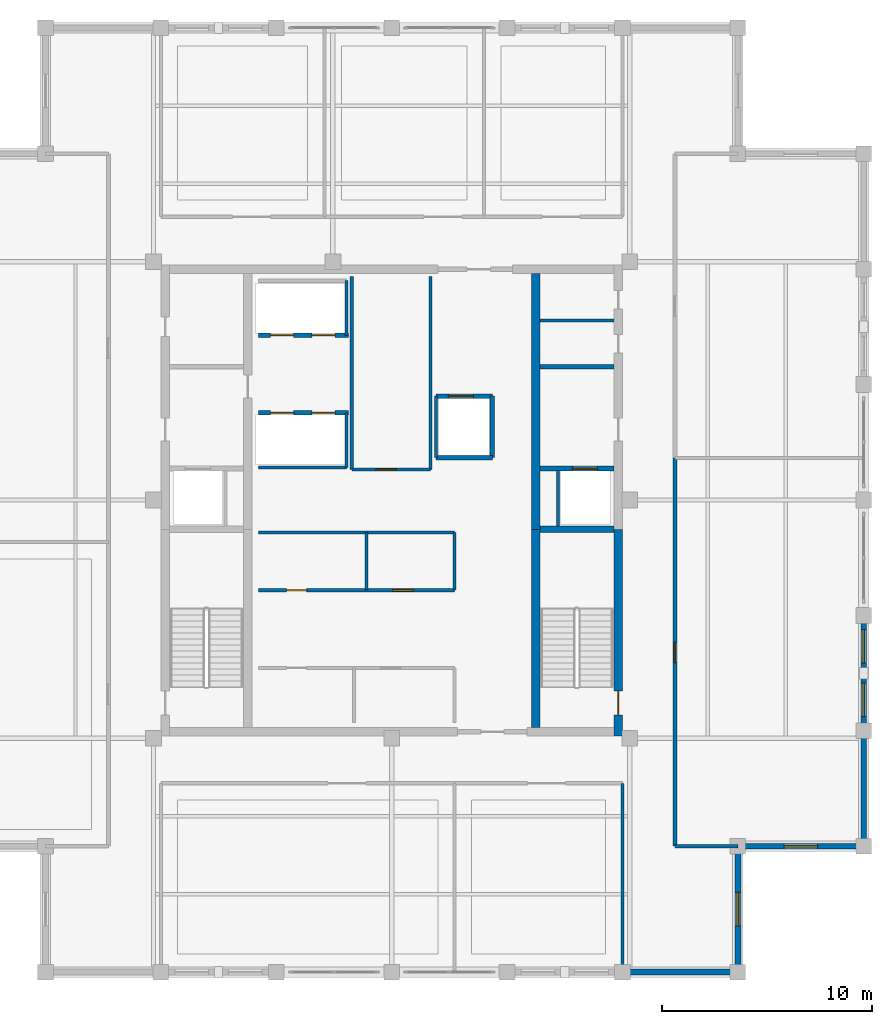
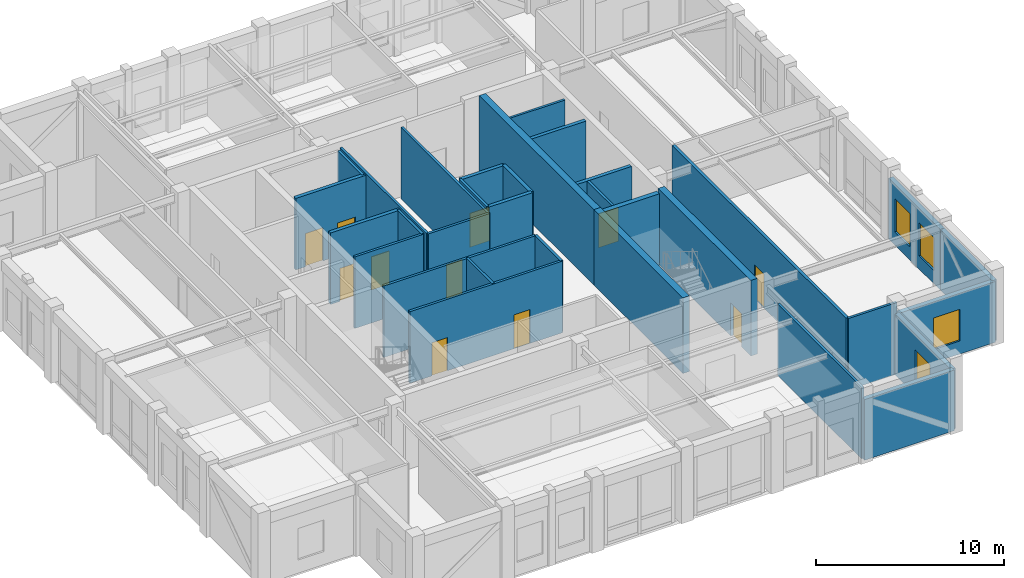
# One storey, part 8 of 13: 32 walls, 11 doors, 4 windows, 15 openings.
"""IFC4 building model written with IfcOpenShell, lengths in metres."""

from ifc_helpers import new_model, si_unit, direction, frame, frame_2d, origin, place, context, subcontext, project, spatial, rectangle, extrude, material, layer, layer_set, type_object, element, fill, save


model = new_model("IFC4")

# Units and contexts
model_context = context("Model", 3, precision=1e-05, world=origin(), true_north=direction((0.0, 1.0)))
body_context = subcontext(model_context, "Body", "Model", "MODEL_VIEW")
ifc_project = project(units=[si_unit("LENGTHUNIT", "METRE"), si_unit("AREAUNIT", "SQUARE_METRE"), si_unit("VOLUMEUNIT", "CUBIC_METRE"), si_unit("PLANEANGLEUNIT", "RADIAN"), si_unit("MASSUNIT", "GRAM", prefix="KILO")], contexts=[model_context])

# Site, building, storey
site_placement = place(None, origin())
site = spatial("IfcSite", under=ifc_project, at=site_placement, CompositionType="ELEMENT")
building_placement = place(site_placement, origin())
building = spatial("IfcBuilding", under=site, at=building_placement, Name="Nhamokura Convention Tower", CompositionType="ELEMENT")
storey_placement = place(building_placement, frame((0.0, 0.0, 308.35009765625)))
storey = spatial("IfcBuildingStorey", under=building, at=storey_placement, Name="L76", CompositionType="ELEMENT", Elevation=308.35009765625)

# Walls
ifc_material_1 = material(Name="Moisture-resistant tile-backer partition", Category="masonry")
ifc_layer_1 = layer(ifc_material_1, 0.139892578125)
ifc_layer_set_1 = layer_set([ifc_layer_1], Name="BathroomWetWall_140")
wall_type_1 = type_object("IfcWallType", Name="BathroomWetWall_140", PredefinedType="STANDARD", material=ifc_layer_set_1)
wall_1_placement = place(storey_placement, frame((39.06005859375, 40.550048828125, 0.0), z_axis=(0.0, 0.0, 1.0), x_axis=(1.0, 0.0, 0.0)))
element("IfcWall", 1, at=wall_1_placement, inside=storey, type_object=wall_type_1, Name="L76 Wall INT-L76-CWNE", PredefinedType="STANDARD", context=body_context, shape_type="SweptSolid", body=[
    extrude(rectangle(XDim=3.530029296875, YDim=0.139892578125, at=frame_2d((1.76513671875, 0.0))), origin(), (0.0, 0.0, 1.0), 4.639892578125),
])
ifc_material_2 = material(Name="Bronze-pigmented precast concrete C45/55", Category="concrete")
ifc_layer_2 = layer(ifc_material_2, 0.280029296875)
ifc_layer_set_2 = layer_set([ifc_layer_2], Name="BronzePrecastSpandrel_280")
wall_type_2 = type_object("IfcWallType", Name="BronzePrecastSpandrel_280", PredefinedType="USERDEFINED", material=ifc_layer_set_2)
for number, where, z_axis, x_axis, name in (
    (2, (48.5, 9.5, 0.0), (0.0, 0.0, 1.0), (-1.0, 0.0, 0.0), "L76 Braced-Bay Precast Wall SOUTH 5"),
    (3, (54.5, 21.0, 0.0), (0.0, 0.0, 1.0), (0.0, -1.0, 0.0), "L76 Braced-Bay Precast Wall EAST 0"),
):
    element("IfcWall", number, at=place(storey_placement, frame(where, z_axis=z_axis, x_axis=x_axis)), inside=storey, type_object=wall_type_2, Name=name, ObjectType="SPANDREL_WALL", PredefinedType="USERDEFINED", context=body_context, shape_type="SweptSolid", body=[
        extrude(rectangle(XDim=5.5, YDim=0.280029296875, at=frame_2d((2.75, 0.0))), origin(), (0.0, 0.0, 1.0), 3.93994140625),
    ])

# Wall, openings, windows
wall_2_placement = place(storey_placement, frame((54.5, 26.5, 0.0), z_axis=(0.0, 0.0, 1.0), x_axis=(0.0, -1.0, 0.0)))
wall_2 = element("IfcWall", 4, at=wall_2_placement, inside=storey, type_object=wall_type_2, Name="L76 Masonry-Frame Wall EAST 1", ObjectType="SPANDREL_WALL", PredefinedType="USERDEFINED", context=body_context, shape_type="SweptSolid", body=[
    extrude(rectangle(XDim=5.5, YDim=0.280029296875, at=frame_2d((2.75, 0.0))), origin(), (0.0, 0.0, 1.0), 3.93994140625),
])
opening_1_placement = place(wall_2_placement, frame((0.675048828125, 0.0, 0.85009765625)))
opening_1 = element("IfcOpeningElement", 5, at=opening_1_placement, cuts=wall_2, Name="Opening W-11", PredefinedType="OPENING", context=body_context, shape_type="SweptSolid", body=[
    extrude(rectangle(XDim=1.60009765625, YDim=2.14990234375, at=frame_2d((0.800048828125, 1.074951171875))), frame((0.0, 0.14990234375, 0.0), z_axis=(0.0, -1.0, 0.0), x_axis=(1.0, 0.0, 0.0)), (0.0, 0.0, 1.0), 0.300048828125),
])
opening_2_placement = place(wall_2_placement, frame((3.22509765625, 0.0, 0.85009765625)))
opening_2 = element("IfcOpeningElement", 6, at=opening_2_placement, cuts=wall_2, Name="Opening W-11", PredefinedType="OPENING", context=body_context, shape_type="SweptSolid", body=[
    extrude(rectangle(XDim=1.60009765625, YDim=2.14990234375, at=frame_2d((0.800048828125, 1.074951171875))), frame((0.0, 0.14990234375, 0.0), z_axis=(0.0, -1.0, 0.0), x_axis=(1.0, 0.0, 0.0)), (0.0, 0.0, 1.0), 0.300048828125),
])
ifc_material_3 = material(Name="Solar-control bronze low-E double glass", Category="glass")
window_type = type_object("IfcWindowType", Name="NotchCornerWindow_1600", PartitioningType="SINGLE_PANEL", PredefinedType="WINDOW", material=ifc_material_3)
window_1_placement = place(opening_1_placement, origin())
window_1 = element("IfcWindow", 7, at=window_1_placement, inside=storey, type_object=window_type, Name="L76 Facade Window EAST 1-1", OverallHeight=2.14990234375, OverallWidth=1.60009765625, PartitioningType="SINGLE_PANEL", PredefinedType="WINDOW", context=body_context, shape_type="SweptSolid", body=[
    extrude(rectangle(XDim=1.60009765625, YDim=2.14990234375, at=frame_2d((0.800048828125, 1.074951171875))), frame((0.0, 0.030029296875, 0.0), z_axis=(0.0, -1.0, 0.0), x_axis=(1.0, 0.0, 0.0)), (0.0, 0.0, 1.0), 0.06005859375),
])
fill(opening_1, window_1)
window_2_placement = place(opening_2_placement, origin())
window_2 = element("IfcWindow", 8, at=window_2_placement, inside=storey, type_object=window_type, Name="L76 Facade Window EAST 1-2", OverallHeight=2.14990234375, OverallWidth=1.60009765625, PartitioningType="SINGLE_PANEL", PredefinedType="WINDOW", context=body_context, shape_type="SweptSolid", body=[
    extrude(rectangle(XDim=1.60009765625, YDim=2.14990234375, at=frame_2d((0.800048828125, 1.074951171875))), frame((0.0, 0.030029296875, 0.0), z_axis=(0.0, -1.0, 0.0), x_axis=(1.0, 0.0, 0.0)), (0.0, 0.0, 1.0), 0.06005859375),
])
fill(opening_2, window_2)

# Wall, opening, window
wall_3_placement = place(storey_placement, frame((48.5, 15.5, 0.0), z_axis=(0.0, 0.0, 1.0), x_axis=(0.0, -1.0, 0.0)))
wall_3 = element("IfcWall", 9, at=wall_3_placement, inside=storey, type_object=wall_type_2, Name="L76 Notched Corner Wall SE1", ObjectType="SPANDREL_WALL", PredefinedType="USERDEFINED", context=body_context, shape_type="SweptSolid", body=[
    extrude(rectangle(XDim=6.0, YDim=0.280029296875, at=frame_2d((3.0, 0.0))), origin(), (0.0, 0.0, 1.0), 3.93994140625),
])
opening_3_placement = place(wall_3_placement, frame((2.199951171875, 0.0, 0.85009765625)))
opening_3 = element("IfcOpeningElement", 10, at=opening_3_placement, cuts=wall_3, Name="Opening W-11", PredefinedType="OPENING", context=body_context, shape_type="SweptSolid", body=[
    extrude(rectangle(XDim=1.60009765625, YDim=2.050048828125, at=frame_2d((0.800048828125, 1.02490234375))), frame((0.0, 0.14990234375, 0.0), z_axis=(0.0, -1.0, 0.0), x_axis=(1.0, 0.0, 0.0)), (0.0, 0.0, 1.0), 0.300048828125),
])
window_3_placement = place(opening_3_placement, origin())
window_3 = element("IfcWindow", 11, at=window_3_placement, inside=storey, type_object=window_type, Name="L76 Notched Corner Window SE1", OverallHeight=2.050048828125, OverallWidth=1.60009765625, PartitioningType="SINGLE_PANEL", PredefinedType="WINDOW", context=body_context, shape_type="SweptSolid", body=[
    extrude(rectangle(XDim=1.60009765625, YDim=2.050048828125, at=frame_2d((0.800048828125, 1.02490234375))), frame((0.0, 0.030029296875, 0.0), z_axis=(0.0, -1.0, 0.0), x_axis=(1.0, 0.0, 0.0)), (0.0, 0.0, 1.0), 0.06005859375),
])
fill(opening_3, window_3)

wall_4_placement = place(storey_placement, frame((54.5, 15.5, 0.0), z_axis=(0.0, 0.0, 1.0), x_axis=(-1.0, 0.0, 0.0)))
wall_4 = element("IfcWall", 12, at=wall_4_placement, inside=storey, type_object=wall_type_2, Name="L76 Notched Corner Wall SE2", ObjectType="SPANDREL_WALL", PredefinedType="USERDEFINED", context=body_context, shape_type="SweptSolid", body=[
    extrude(rectangle(XDim=6.0, YDim=0.280029296875, at=frame_2d((3.0, 0.0))), origin(), (0.0, 0.0, 1.0), 3.93994140625),
])
opening_4_placement = place(wall_4_placement, frame((2.199951171875, 0.0, 0.85009765625)))
opening_4 = element("IfcOpeningElement", 13, at=opening_4_placement, cuts=wall_4, Name="Opening W-11", PredefinedType="OPENING", context=body_context, shape_type="SweptSolid", body=[
    extrude(rectangle(XDim=1.60009765625, YDim=2.050048828125, at=frame_2d((0.800048828125, 1.02490234375))), frame((0.0, 0.14990234375, 0.0), z_axis=(0.0, -1.0, 0.0), x_axis=(1.0, 0.0, 0.0)), (0.0, 0.0, 1.0), 0.300048828125),
])
window_4_placement = place(opening_4_placement, origin())
window_4 = element("IfcWindow", 14, at=window_4_placement, inside=storey, type_object=window_type, Name="L76 Notched Corner Window SE2", OverallHeight=2.050048828125, OverallWidth=1.60009765625, PartitioningType="SINGLE_PANEL", PredefinedType="WINDOW", context=body_context, shape_type="SweptSolid", body=[
    extrude(rectangle(XDim=1.60009765625, YDim=2.050048828125, at=frame_2d((0.800048828125, 1.02490234375))), frame((0.0, 0.030029296875, 0.0), z_axis=(0.0, -1.0, 0.0), x_axis=(1.0, 0.0, 0.0)), (0.0, 0.0, 1.0), 0.06005859375),
])
fill(opening_4, window_4)

# Wall, opening, door
ifc_material_4 = material(Name="Concrete C50/60", Category="concrete")
ifc_layer_3 = layer(ifc_material_4, 0.39990234375)
ifc_layer_set_3 = layer_set([ifc_layer_3], Name="CoreShearWall_400")
wall_type_3 = type_object("IfcWallType", Name="CoreShearWall_400", PredefinedType="SHEAR", material=ifc_layer_set_3)
wall_5_placement = place(storey_placement, frame((42.7900390625, 20.75, 0.0), z_axis=(0.0, 0.0, 1.0), x_axis=(0.0, 1.0, 0.0)))
wall_5 = element("IfcWall", 15, at=wall_5_placement, inside=storey, type_object=wall_type_3, Name="L76 Core Shear Wall CW-ES", PredefinedType="SHEAR", context=body_context, shape_type="SweptSolid", body=[
    extrude(rectangle(XDim=9.85009765625, YDim=0.39990234375, at=frame_2d((4.925048828125, 0.0))), origin(), (0.0, 0.0, 1.0), 4.89990234375),
])
opening_5_placement = place(wall_5_placement, frame((1.0, 0.0, 0.0)))
opening_5 = element("IfcOpeningElement", 16, at=opening_5_placement, cuts=wall_5, Name="Opening D-04", PredefinedType="OPENING", context=body_context, shape_type="SweptSolid", body=[
    extrude(rectangle(XDim=1.14990234375, YDim=2.14990234375, at=frame_2d((0.574951171875, 1.074951171875))), frame((0.0, 0.2099609375, 0.0), z_axis=(0.0, -1.0, 0.0), x_axis=(1.0, 0.0, 0.0)), (0.0, 0.0, 1.0), 0.419921875),
])
ifc_material_5 = material(Name="Fire-rated steel door", Category="steel")
door_type_1 = type_object("IfcDoorType", Name="StairSmokeDoor_1150", OperationType="NOTDEFINED", PredefinedType="DOOR", material=ifc_material_5)
door_1_placement = place(opening_5_placement, origin())
door_1 = element("IfcDoor", 17, at=door_1_placement, inside=storey, type_object=door_type_1, Name="L76 Core Door INT-L76-D-ST02", OperationType="SINGLE_SWING_RIGHT", OverallHeight=2.14990234375, OverallWidth=1.14990234375, PredefinedType="DOOR", context=body_context, shape_type="SweptSolid", body=[
    extrude(rectangle(XDim=1.14990234375, YDim=2.14990234375, at=frame_2d((0.574951171875, 1.074951171875))), frame((0.0, 0.02490234375, 0.0), z_axis=(0.0, -1.0, 0.0), x_axis=(1.0, 0.0, 0.0)), (0.0, 0.0, 1.0), 0.050048828125),
])
fill(opening_5, door_1)

# Walls
wall_6_placement = place(storey_placement, frame((38.860107421875, 21.14990234375, 0.0), z_axis=(0.0, 0.0, 1.0), x_axis=(0.0, 1.0, 0.0)))
element("IfcWall", 18, at=wall_6_placement, inside=storey, type_object=wall_type_3, Name="L76 Core Shear Wall CW-IES", PredefinedType="SHEAR", context=body_context, shape_type="SweptSolid", body=[
    extrude(rectangle(XDim=9.4501953125, YDim=0.39990234375, at=frame_2d((4.72509765625, 0.0))), origin(), (0.0, 0.0, 1.0), 4.89990234375),
])
wall_7_placement = place(storey_placement, frame((38.860107421875, 30.60009765625, 0.0), z_axis=(0.0, 0.0, 1.0), x_axis=(0.0, 1.0, 0.0)))
element("IfcWall", 19, at=wall_7_placement, inside=storey, type_object=wall_type_3, Name="L76 Core Shear Wall CW-IEN", PredefinedType="SHEAR", context=body_context, shape_type="SweptSolid", body=[
    extrude(rectangle(XDim=12.199951171875, YDim=0.39990234375, at=frame_2d((6.10009765625, 0.0))), origin(), (0.0, 0.0, 1.0), 4.89990234375),
])

# Wall, opening, door
ifc_material_6 = material(Name="Fire-rated gypsum and masonry partition", Category="masonry")
ifc_layer_4 = layer(ifc_material_6, 0.179931640625)
ifc_layer_set_4 = layer_set([ifc_layer_4], Name="CorridorRatedWall_180")
wall_type_4 = type_object("IfcWallType", Name="CorridorRatedWall_180", PredefinedType="STANDARD", material=ifc_layer_set_4)
wall_8_placement = place(storey_placement, frame((45.5, 15.5, 0.0), z_axis=(0.0, 0.0, 1.0), x_axis=(0.0, 1.0, 0.0)))
wall_8 = element("IfcWall", 20, at=wall_8_placement, inside=storey, type_object=wall_type_4, Name="L76 Wall INT-L76-CW-E00", PredefinedType="STANDARD", context=body_context, shape_type="SweptSolid", body=[
    extrude(rectangle(XDim=18.5, YDim=0.179931640625, at=frame_2d((9.25, 0.0))), origin(), (0.0, 0.0, 1.0), 4.639892578125),
])
opening_6_placement = place(wall_8_placement, frame((8.75, 0.0, 0.0)))
opening_6 = element("IfcOpeningElement", 21, at=opening_6_placement, cuts=wall_8, Name="Opening D-08", PredefinedType="OPENING", context=body_context, shape_type="SweptSolid", body=[
    extrude(rectangle(XDim=0.97998046875, YDim=2.199951171875, at=frame_2d((0.489990234375, 1.10009765625))), frame((0.0, 0.099853515625, 0.0), z_axis=(0.0, -1.0, 0.0), x_axis=(1.0, 0.0, 0.0)), (0.0, 0.0, 1.0), 0.199951171875),
])
ifc_material_7 = material(Name="Solid oak hardwood", Category="wood")
door_type_2 = type_object("IfcDoorType", Name="OfficeEntryDoor_980", OperationType="NOTDEFINED", PredefinedType="DOOR", material=ifc_material_7)
door_2_placement = place(opening_6_placement, origin())
door_2 = element("IfcDoor", 22, at=door_2_placement, inside=storey, type_object=door_type_2, Name="L76 VIP Lounge E01 Door", OperationType="SINGLE_SWING_LEFT", OverallHeight=2.199951171875, OverallWidth=0.97998046875, PredefinedType="DOOR", context=body_context, shape_type="SweptSolid", body=[
    extrude(rectangle(XDim=0.97998046875, YDim=2.199951171875, at=frame_2d((0.489990234375, 1.10009765625))), frame((0.0, 0.02490234375, 0.0), z_axis=(0.0, -1.0, 0.0), x_axis=(1.0, 0.0, 0.0)), (0.0, 0.0, 1.0), 0.050048828125),
])
fill(opening_6, door_2)

ifc_material_8 = material(Name="Autoclaved concrete blockwork", Category="masonry")
ifc_layer_5 = layer(ifc_material_8, 0.219970703125)
ifc_layer_set_5 = layer_set([ifc_layer_5], Name="FireLobbyWall_220")
wall_type_5 = type_object("IfcWallType", Name="FireLobbyWall_220", PredefinedType="STANDARD", material=ifc_layer_set_5)
wall_9_placement = place(storey_placement, frame((39.06005859375, 33.5, 0.0), z_axis=(0.0, 0.0, 1.0), x_axis=(1.0, 0.0, 0.0)))
wall_9 = element("IfcWall", 23, at=wall_9_placement, inside=storey, type_object=wall_type_5, Name="L76 Wall INT-L76-FFE-S", PredefinedType="STANDARD", context=body_context, shape_type="SweptSolid", body=[
    extrude(rectangle(XDim=3.530029296875, YDim=0.219970703125, at=frame_2d((1.76513671875, 0.0))), origin(), (0.0, 0.0, 1.0), 4.639892578125),
])
opening_7_placement = place(wall_9_placement, frame((1.550048828125, 0.0, 0.0)))
opening_7 = element("IfcOpeningElement", 24, at=opening_7_placement, cuts=wall_9, Name="Opening LD-02", PredefinedType="OPENING", context=body_context, shape_type="SweptSolid", body=[
    extrude(rectangle(XDim=1.199951171875, YDim=2.199951171875, at=frame_2d((0.60009765625, 1.10009765625))), frame((0.0, 0.119873046875, 0.0), z_axis=(0.0, -1.0, 0.0), x_axis=(1.0, 0.0, 0.0)), (0.0, 0.0, 1.0), 0.239990234375),
])
ifc_material_9 = material(Name="Anodised bronze stainless steel", Category="steel")
door_type_3 = type_object("IfcDoorType", Name="LiftLandingDoor_FireService", OperationType="DOUBLE_DOOR_SLIDING", PredefinedType="DOOR", material=ifc_material_9)
door_3_placement = place(opening_7_placement, origin())
door_3 = element("IfcDoor", 25, at=door_3_placement, inside=storey, type_object=door_type_3, Name="L76 Firefighting Lift LF-02 Door", OperationType="DOUBLE_DOOR_SLIDING", OverallHeight=2.199951171875, OverallWidth=1.199951171875, PredefinedType="DOOR", context=body_context, shape_type="SweptSolid", body=[
    extrude(rectangle(XDim=1.199951171875, YDim=2.199951171875, at=frame_2d((0.60009765625, 1.10009765625))), frame((0.0, 0.02490234375, 0.0), z_axis=(0.0, -1.0, 0.0), x_axis=(1.0, 0.0, 0.0)), (0.0, 0.0, 1.0), 0.050048828125),
])
fill(opening_7, door_3)

# Wall
wall_10_placement = place(storey_placement, frame((39.06005859375, 38.35009765625, 0.0), z_axis=(0.0, 0.0, 1.0), x_axis=(1.0, 0.0, 0.0)))
element("IfcWall", 26, at=wall_10_placement, inside=storey, type_object=wall_type_5, Name="L76 Wall INT-L76-FFE-N", PredefinedType="STANDARD", context=body_context, shape_type="SweptSolid", body=[
    extrude(rectangle(XDim=3.530029296875, YDim=0.219970703125, at=frame_2d((1.76513671875, 0.0))), origin(), (0.0, 0.0, 1.0), 4.639892578125),
])

# Wall, openings, doors
wall_11_placement = place(storey_placement, frame((25.64990234375, 36.14990234375, 0.0), z_axis=(0.0, 0.0, 1.0), x_axis=(1.0, 0.0, 0.0)))
wall_11 = element("IfcWall", 27, at=wall_11_placement, inside=storey, type_object=wall_type_5, Name="L76 Wall INT-L76-B3S", PredefinedType="STANDARD", context=body_context, shape_type="SweptSolid", body=[
    extrude(rectangle(XDim=4.300048828125, YDim=0.219970703125, at=frame_2d((2.14990234375, 0.0))), origin(), (0.0, 0.0, 1.0), 4.639892578125),
])
opening_8_placement = place(wall_11_placement, frame((0.580078125, 0.0, 0.0)))
opening_8 = element("IfcOpeningElement", 28, at=opening_8_placement, cuts=wall_11, Name="Opening LD-01", PredefinedType="OPENING", context=body_context, shape_type="SweptSolid", body=[
    extrude(rectangle(XDim=1.10009765625, YDim=2.14990234375, at=frame_2d((0.550048828125, 1.074951171875))), frame((0.0, 0.119873046875, 0.0), z_axis=(0.0, -1.0, 0.0), x_axis=(1.0, 0.0, 0.0)), (0.0, 0.0, 1.0), 0.239990234375),
])
opening_9_placement = place(wall_11_placement, frame((2.550048828125, 0.0, 0.0)))
opening_9 = element("IfcOpeningElement", 29, at=opening_9_placement, cuts=wall_11, Name="Opening LD-01", PredefinedType="OPENING", context=body_context, shape_type="SweptSolid", body=[
    extrude(rectangle(XDim=1.10009765625, YDim=2.14990234375, at=frame_2d((0.550048828125, 1.074951171875))), frame((0.0, 0.119873046875, 0.0), z_axis=(0.0, -1.0, 0.0), x_axis=(1.0, 0.0, 0.0)), (0.0, 0.0, 1.0), 0.239990234375),
])
ifc_material_10 = material(Name="Anodised bronze stainless steel", Category="steel")
door_type_4 = type_object("IfcDoorType", Name="LiftLandingDoor_Passenger", OperationType="DOUBLE_DOOR_SLIDING", PredefinedType="DOOR", material=ifc_material_10)
door_4_placement = place(opening_8_placement, origin())
door_4 = element("IfcDoor", 30, at=door_4_placement, inside=storey, type_object=door_type_4, Name="L76 Lift LP-09 Door", OperationType="DOUBLE_DOOR_SLIDING", OverallHeight=2.14990234375, OverallWidth=1.10009765625, PredefinedType="DOOR", context=body_context, shape_type="SweptSolid", body=[
    extrude(rectangle(XDim=1.10009765625, YDim=2.14990234375, at=frame_2d((0.550048828125, 1.074951171875))), frame((0.0, 0.02490234375, 0.0), z_axis=(0.0, -1.0, 0.0), x_axis=(1.0, 0.0, 0.0)), (0.0, 0.0, 1.0), 0.050048828125),
])
fill(opening_8, door_4)
door_5_placement = place(opening_9_placement, origin())
door_5 = element("IfcDoor", 31, at=door_5_placement, inside=storey, type_object=door_type_4, Name="L76 Lift LP-10 Door", OperationType="DOUBLE_DOOR_SLIDING", OverallHeight=2.14990234375, OverallWidth=1.10009765625, PredefinedType="DOOR", context=body_context, shape_type="SweptSolid", body=[
    extrude(rectangle(XDim=1.10009765625, YDim=2.14990234375, at=frame_2d((0.550048828125, 1.074951171875))), frame((0.0, 0.02490234375, 0.0), z_axis=(0.0, -1.0, 0.0), x_axis=(1.0, 0.0, 0.0)), (0.0, 0.0, 1.0), 0.050048828125),
])
fill(opening_9, door_5)

wall_12_placement = place(storey_placement, frame((25.64990234375, 39.85009765625, 0.0), z_axis=(0.0, 0.0, 1.0), x_axis=(1.0, 0.0, 0.0)))
wall_12 = element("IfcWall", 32, at=wall_12_placement, inside=storey, type_object=wall_type_5, Name="L76 Wall INT-L76-B3N", PredefinedType="STANDARD", context=body_context, shape_type="SweptSolid", body=[
    extrude(rectangle(XDim=4.300048828125, YDim=0.219970703125, at=frame_2d((2.14990234375, 0.0))), origin(), (0.0, 0.0, 1.0), 4.639892578125),
])
opening_10_placement = place(wall_12_placement, frame((0.580078125, 0.0, 0.0)))
opening_10 = element("IfcOpeningElement", 33, at=opening_10_placement, cuts=wall_12, Name="Opening LD-01", PredefinedType="OPENING", context=body_context, shape_type="SweptSolid", body=[
    extrude(rectangle(XDim=1.10009765625, YDim=2.14990234375, at=frame_2d((0.550048828125, 1.074951171875))), frame((0.0, 0.119873046875, 0.0), z_axis=(0.0, -1.0, 0.0), x_axis=(1.0, 0.0, 0.0)), (0.0, 0.0, 1.0), 0.239990234375),
])
opening_11_placement = place(wall_12_placement, frame((2.550048828125, 0.0, 0.0)))
opening_11 = element("IfcOpeningElement", 34, at=opening_11_placement, cuts=wall_12, Name="Opening LD-01", PredefinedType="OPENING", context=body_context, shape_type="SweptSolid", body=[
    extrude(rectangle(XDim=1.10009765625, YDim=2.14990234375, at=frame_2d((0.550048828125, 1.074951171875))), frame((0.0, 0.119873046875, 0.0), z_axis=(0.0, -1.0, 0.0), x_axis=(1.0, 0.0, 0.0)), (0.0, 0.0, 1.0), 0.239990234375),
])
door_6_placement = place(opening_10_placement, origin())
door_6 = element("IfcDoor", 35, at=door_6_placement, inside=storey, type_object=door_type_4, Name="L76 Lift LP-11 Door", OperationType="DOUBLE_DOOR_SLIDING", OverallHeight=2.14990234375, OverallWidth=1.10009765625, PredefinedType="DOOR", context=body_context, shape_type="SweptSolid", body=[
    extrude(rectangle(XDim=1.10009765625, YDim=2.14990234375, at=frame_2d((0.550048828125, 1.074951171875))), frame((0.0, 0.02490234375, 0.0), z_axis=(0.0, -1.0, 0.0), x_axis=(1.0, 0.0, 0.0)), (0.0, 0.0, 1.0), 0.050048828125),
])
fill(opening_10, door_6)
door_7_placement = place(opening_11_placement, origin())
door_7 = element("IfcDoor", 36, at=door_7_placement, inside=storey, type_object=door_type_4, Name="L76 Lift LP-12 Door", OperationType="DOUBLE_DOOR_SLIDING", OverallHeight=2.14990234375, OverallWidth=1.10009765625, PredefinedType="DOOR", context=body_context, shape_type="SweptSolid", body=[
    extrude(rectangle(XDim=1.10009765625, YDim=2.14990234375, at=frame_2d((0.550048828125, 1.074951171875))), frame((0.0, 0.02490234375, 0.0), z_axis=(0.0, -1.0, 0.0), x_axis=(1.0, 0.0, 0.0)), (0.0, 0.0, 1.0), 0.050048828125),
])
fill(opening_11, door_7)

# Wall, opening, door
wall_13_placement = place(storey_placement, frame((34.1201171875, 36.949951171875, 0.0), z_axis=(0.0, 0.0, 1.0), x_axis=(1.0, 0.0, 0.0)))
wall_13 = element("IfcWall", 37, at=wall_13_placement, inside=storey, type_object=wall_type_5, Name="L76 Wall INT-L76-LSN", PredefinedType="STANDARD", context=body_context, shape_type="SweptSolid", body=[
    extrude(rectangle(XDim=2.679931640625, YDim=0.219970703125, at=frame_2d((1.33984375, 0.0))), origin(), (0.0, 0.0, 1.0), 4.639892578125),
])
opening_12_placement = place(wall_13_placement, frame((0.580078125, 0.0, 0.0)))
opening_12 = element("IfcOpeningElement", 38, at=opening_12_placement, cuts=wall_13, Name="Opening LD-02", PredefinedType="OPENING", context=body_context, shape_type="SweptSolid", body=[
    extrude(rectangle(XDim=1.199951171875, YDim=2.199951171875, at=frame_2d((0.60009765625, 1.10009765625))), frame((0.0, 0.119873046875, 0.0), z_axis=(0.0, -1.0, 0.0), x_axis=(1.0, 0.0, 0.0)), (0.0, 0.0, 1.0), 0.239990234375),
])
door_8_placement = place(opening_12_placement, origin())
door_8 = element("IfcDoor", 39, at=door_8_placement, inside=storey, type_object=door_type_3, Name="L76 Service Lift LS-01 Door", OperationType="DOUBLE_DOOR_SLIDING", OverallHeight=2.199951171875, OverallWidth=1.199951171875, PredefinedType="DOOR", context=body_context, shape_type="SweptSolid", body=[
    extrude(rectangle(XDim=1.199951171875, YDim=2.199951171875, at=frame_2d((0.60009765625, 1.10009765625))), frame((0.0, 0.02490234375, 0.0), z_axis=(0.0, -1.0, 0.0), x_axis=(1.0, 0.0, 0.0)), (0.0, 0.0, 1.0), 0.050048828125),
])
fill(opening_12, door_8)

# Walls
wall_14_placement = place(storey_placement, frame((36.800048828125, 34.02001953125, 0.0), z_axis=(0.0, 0.0, 1.0), x_axis=(0.0, 1.0, 0.0)))
element("IfcWall", 40, at=wall_14_placement, inside=storey, type_object=wall_type_5, Name="L76 Wall INT-L76-LSE", PredefinedType="STANDARD", context=body_context, shape_type="SweptSolid", body=[
    extrude(rectangle(XDim=2.929931640625, YDim=0.219970703125, at=frame_2d((1.46484375, 0.0))), origin(), (0.0, 0.0, 1.0), 4.639892578125),
])
wall_15_placement = place(storey_placement, frame((34.1201171875, 34.02001953125, 0.0), z_axis=(0.0, 0.0, 1.0), x_axis=(1.0, 0.0, 0.0)))
element("IfcWall", 41, at=wall_15_placement, inside=storey, type_object=wall_type_5, Name="L76 Wall INT-L76-LSS", PredefinedType="STANDARD", context=body_context, shape_type="SweptSolid", body=[
    extrude(rectangle(XDim=2.679931640625, YDim=0.219970703125, at=frame_2d((1.33984375, 0.0))), origin(), (0.0, 0.0, 1.0), 4.639892578125),
])
ifc_material_11 = material(Name="Acoustic gypsum stud partition", Category="masonry")
ifc_layer_6 = layer(ifc_material_11, 0.14990234375)
ifc_layer_set_6 = layer_set([ifc_layer_6], Name="InteriorPartition_150")
wall_type_6 = type_object("IfcWallType", Name="InteriorPartition_150", PredefinedType="STANDARD", material=ifc_layer_set_6)
wall_16_placement = place(storey_placement, frame((39.919921875, 30.75, 0.0), z_axis=(0.0, 0.0, 1.0), x_axis=(0.0, 1.0, 0.0)))
element("IfcWall", 42, at=wall_16_placement, inside=storey, type_object=wall_type_6, Name="L76 Wall INT-L76-FF2-W", PredefinedType="STANDARD", context=body_context, shape_type="SweptSolid", body=[
    extrude(rectangle(XDim=2.64990234375, YDim=0.14990234375, at=frame_2d((1.324951171875, 0.0))), origin(), (0.0, 0.0, 1.0), 4.639892578125),
])

# Wall, openings, doors
wall_17_placement = place(storey_placement, frame((25.64990234375, 27.699951171875, 0.0), z_axis=(0.0, 0.0, 1.0), x_axis=(1.0, 0.0, 0.0)))
wall_17 = element("IfcWall", 43, at=wall_17_placement, inside=storey, type_object=wall_type_6, Name="L76 Wall INT-L76-B2R-S", PredefinedType="STANDARD", context=body_context, shape_type="SweptSolid", body=[
    extrude(rectangle(XDim=9.35009765625, YDim=0.14990234375, at=frame_2d((4.675048828125, 0.0))), origin(), (0.0, 0.0, 1.0), 4.639892578125),
])
opening_13_placement = place(wall_17_placement, frame((1.35009765625, 0.0, 0.0)))
opening_13 = element("IfcOpeningElement", 44, at=opening_13_placement, cuts=wall_17, Name="Opening D-09", PredefinedType="OPENING", context=body_context, shape_type="SweptSolid", body=[
    extrude(rectangle(XDim=0.949951171875, YDim=2.14990234375, at=frame_2d((0.47509765625, 1.074951171875))), frame((0.0, 0.0849609375, 0.0), z_axis=(0.0, -1.0, 0.0), x_axis=(1.0, 0.0, 0.0)), (0.0, 0.0, 1.0), 0.169921875),
])
opening_14_placement = place(wall_17_placement, frame((6.39990234375, 0.0, 0.0)))
opening_14 = element("IfcOpeningElement", 45, at=opening_14_placement, cuts=wall_17, Name="Opening D-08", PredefinedType="OPENING", context=body_context, shape_type="SweptSolid", body=[
    extrude(rectangle(XDim=0.97998046875, YDim=2.199951171875, at=frame_2d((0.489990234375, 1.10009765625))), frame((0.0, 0.0849609375, 0.0), z_axis=(0.0, -1.0, 0.0), x_axis=(1.0, 0.0, 0.0)), (0.0, 0.0, 1.0), 0.169921875),
])
ifc_material_12 = material(Name="Solid oak hardwood", Category="wood")
door_type_5 = type_object("IfcDoorType", Name="MeetingRoomDoor_950", OperationType="NOTDEFINED", PredefinedType="DOOR", material=ifc_material_12)
door_9_placement = place(opening_13_placement, origin())
door_9 = element("IfcDoor", 46, at=door_9_placement, inside=storey, type_object=door_type_5, Name="L76 Caucus Suite Door", OperationType="SINGLE_SWING_LEFT", OverallHeight=2.14990234375, OverallWidth=0.949951171875, PredefinedType="DOOR", context=body_context, shape_type="SweptSolid", body=[
    extrude(rectangle(XDim=0.949951171875, YDim=2.14990234375, at=frame_2d((0.47509765625, 1.074951171875))), frame((0.0, 0.02490234375, 0.0), z_axis=(0.0, -1.0, 0.0), x_axis=(1.0, 0.0, 0.0)), (0.0, 0.0, 1.0), 0.050048828125),
])
fill(opening_13, door_9)
door_10_placement = place(opening_14_placement, origin())
door_10 = element("IfcDoor", 47, at=door_10_placement, inside=storey, type_object=door_type_2, Name="L76 Summit Pantry Door", OperationType="SINGLE_SWING_RIGHT", OverallHeight=2.199951171875, OverallWidth=0.97998046875, PredefinedType="DOOR", context=body_context, shape_type="SweptSolid", body=[
    extrude(rectangle(XDim=0.97998046875, YDim=2.199951171875, at=frame_2d((0.489990234375, 1.10009765625))), frame((0.0, 0.02490234375, 0.0), z_axis=(0.0, -1.0, 0.0), x_axis=(1.0, 0.0, 0.0)), (0.0, 0.0, 1.0), 0.050048828125),
])
fill(opening_14, door_10)

# Walls
wall_18_placement = place(storey_placement, frame((25.64990234375, 30.449951171875, 0.0), z_axis=(0.0, 0.0, 1.0), x_axis=(1.0, 0.0, 0.0)))
element("IfcWall", 48, at=wall_18_placement, inside=storey, type_object=wall_type_6, Name="L76 Wall INT-L76-B2R-N", PredefinedType="STANDARD", context=body_context, shape_type="SweptSolid", body=[
    extrude(rectangle(XDim=9.35009765625, YDim=0.14990234375, at=frame_2d((4.675048828125, 0.0))), origin(), (0.0, 0.0, 1.0), 4.639892578125),
])
for number, where, z_axis, x_axis, name in (
    (49, (30.800048828125, 27.699951171875, 0.0), (0.0, 0.0, 1.0), (0.0, 1.0, 0.0), "L76 Wall INT-L76-B2R-M"),
    (50, (35.0, 27.699951171875, 0.0), (0.0, 0.0, 1.0), (0.0, 1.0, 0.0), "L76 Wall INT-L76-B2R-E"),
):
    element("IfcWall", number, at=place(storey_placement, frame(where, z_axis=z_axis, x_axis=x_axis)), inside=storey, type_object=wall_type_6, Name=name, PredefinedType="STANDARD", context=body_context, shape_type="SweptSolid", body=[
        extrude(rectangle(XDim=2.75, YDim=0.14990234375, at=frame_2d((1.375, 0.0))), origin(), (0.0, 0.0, 1.0), 4.639892578125),
    ])
wall_19_placement = place(storey_placement, frame((25.64990234375, 33.550048828125, 0.0), z_axis=(0.0, 0.0, 1.0), x_axis=(1.0, 0.0, 0.0)))
element("IfcWall", 51, at=wall_19_placement, inside=storey, type_object=wall_type_6, Name="L76 Wall INT-L76-B3A-S", PredefinedType="STANDARD", context=body_context, shape_type="SweptSolid", body=[
    extrude(rectangle(XDim=4.2001953125, YDim=0.14990234375, at=frame_2d((2.10009765625, 0.0))), origin(), (0.0, 0.0, 1.0), 4.639892578125),
])
for number, where, z_axis, x_axis, name in (
    (52, (29.85009765625, 33.550048828125, 0.0), (0.0, 0.0, 1.0), (0.0, 1.0, 0.0), "L76 Wall INT-L76-B3A-E"),
    (53, (29.85009765625, 39.85009765625, 0.0), (0.0, 0.0, 1.0), (0.0, 1.0, 0.0), "L76 Wall INT-L76-B3B-E"),
):
    element("IfcWall", number, at=place(storey_placement, frame(where, z_axis=z_axis, x_axis=x_axis)), inside=storey, type_object=wall_type_6, Name=name, PredefinedType="STANDARD", context=body_context, shape_type="SweptSolid", body=[
        extrude(rectangle(XDim=2.599853515625, YDim=0.14990234375, at=frame_2d((1.2998046875, 0.0))), origin(), (0.0, 0.0, 1.0), 4.639892578125),
    ])
for number, where, z_axis, x_axis, name in (
    (54, (30.10009765625, 33.449951171875, 0.0), (0.0, 0.0, 1.0), (0.0, 1.0, 0.0), "L76 Wall INT-L76-ST03W"),
    (55, (33.85009765625, 33.449951171875, 0.0), (0.0, 0.0, 1.0), (0.0, 1.0, 0.0), "L76 Wall INT-L76-ST03E"),
):
    element("IfcWall", number, at=place(storey_placement, frame(where, z_axis=z_axis, x_axis=x_axis)), inside=storey, type_object=wall_type_6, Name=name, PredefinedType="STANDARD", context=body_context, shape_type="SweptSolid", body=[
        extrude(rectangle(XDim=9.199951171875, YDim=0.14990234375, at=frame_2d((4.60009765625, 0.0))), origin(), (0.0, 0.0, 1.0), 4.639892578125),
    ])

# Wall, opening, door
wall_20_placement = place(storey_placement, frame((30.10009765625, 33.449951171875, 0.0), z_axis=(0.0, 0.0, 1.0), x_axis=(1.0, 0.0, 0.0)))
wall_20 = element("IfcWall", 56, at=wall_20_placement, inside=storey, type_object=wall_type_6, Name="L76 Wall INT-L76-ST03S", PredefinedType="STANDARD", context=body_context, shape_type="SweptSolid", body=[
    extrude(rectangle(XDim=3.75, YDim=0.14990234375, at=frame_2d((1.875, 0.0))), origin(), (0.0, 0.0, 1.0), 4.639892578125),
])
opening_15_placement = place(wall_20_placement, frame((1.14990234375, 0.0, 0.0)))
opening_15 = element("IfcOpeningElement", 57, at=opening_15_placement, cuts=wall_20, Name="Opening D-08", PredefinedType="OPENING", context=body_context, shape_type="SweptSolid", body=[
    extrude(rectangle(XDim=0.97998046875, YDim=2.199951171875, at=frame_2d((0.489990234375, 1.10009765625))), frame((0.0, 0.0849609375, 0.0), z_axis=(0.0, -1.0, 0.0), x_axis=(1.0, 0.0, 0.0)), (0.0, 0.0, 1.0), 0.169921875),
])
door_11_placement = place(opening_15_placement, origin())
door_11 = element("IfcDoor", 58, at=door_11_placement, inside=storey, type_object=door_type_2, Name="L76 Wellness and Records Room Door", OperationType="SINGLE_SWING_LEFT", OverallHeight=2.199951171875, OverallWidth=0.97998046875, PredefinedType="DOOR", context=body_context, shape_type="SweptSolid", body=[
    extrude(rectangle(XDim=0.97998046875, YDim=2.199951171875, at=frame_2d((0.489990234375, 1.10009765625))), frame((0.0, 0.02490234375, 0.0), z_axis=(0.0, -1.0, 0.0), x_axis=(1.0, 0.0, 0.0)), (0.0, 0.0, 1.0), 0.050048828125),
])
fill(opening_15, door_11)

# Walls
wall_21_placement = place(storey_placement, frame((34.1201171875, 34.02001953125, 0.0), z_axis=(0.0, 0.0, 1.0), x_axis=(0.0, 1.0, 0.0)))
element("IfcWall", 59, at=wall_21_placement, inside=storey, type_object=wall_type_6, Name="L76 Wall INT-L76-LSW", PredefinedType="STANDARD", context=body_context, shape_type="SweptSolid", body=[
    extrude(rectangle(XDim=2.929931640625, YDim=0.14990234375, at=frame_2d((1.46484375, 0.0))), origin(), (0.0, 0.0, 1.0), 4.639892578125),
])
wall_22_placement = place(storey_placement, frame((43.0, 9.56005859375, 0.0), z_axis=(0.0, 0.0, 1.0), x_axis=(0.0, 1.0, 0.0)))
element("IfcWall", 60, at=wall_22_placement, inside=storey, type_object=wall_type_6, Name="L76 Wall INT-L76-RWR-S", PredefinedType="STANDARD", context=body_context, shape_type="SweptSolid", body=[
    extrude(rectangle(XDim=8.93994140625, YDim=0.14990234375, at=frame_2d((4.469970703125, 0.0))), origin(), (0.0, 0.0, 1.0), 4.639892578125),
])
wall_23_placement = place(storey_placement, frame((45.5, 15.5, 0.0), z_axis=(0.0, 0.0, 1.0), x_axis=(1.0, 0.0, 0.0)))
element("IfcWall", 61, at=wall_23_placement, inside=storey, type_object=wall_type_6, Name="L76 Wall INT-L76-VSTP-ES", PredefinedType="STANDARD", context=body_context, shape_type="SweptSolid", body=[
    extrude(rectangle(XDim=3.0, YDim=0.14990234375, at=frame_2d((1.5, 0.0))), origin(), (0.0, 0.0, 1.0), 4.639892578125),
])
ifc_material_13 = material(Name="Concrete C50/60", Category="concrete")
ifc_layer_7 = layer(ifc_material_13, 0.300048828125)
ifc_layer_set_7 = layer_set([ifc_layer_7], Name="ShaftEnclosureWall_300")
wall_type_7 = type_object("IfcWallType", Name="ShaftEnclosureWall_300", PredefinedType="SHEAR", material=ifc_layer_set_7)
wall_24_placement = place(storey_placement, frame((39.06005859375, 30.60009765625, 0.0), z_axis=(0.0, 0.0, 1.0), x_axis=(1.0, 0.0, 0.0)))
element("IfcWall", 62, at=wall_24_placement, inside=storey, type_object=wall_type_7, Name="L76 Wall INT-L76-ST02-N", PredefinedType="SHEAR", context=body_context, shape_type="SweptSolid", body=[
    extrude(rectangle(XDim=3.530029296875, YDim=0.300048828125, at=frame_2d((1.76513671875, 0.0))), origin(), (0.0, 0.0, 1.0), 4.639892578125),
])

save(model, "model.ifc")
